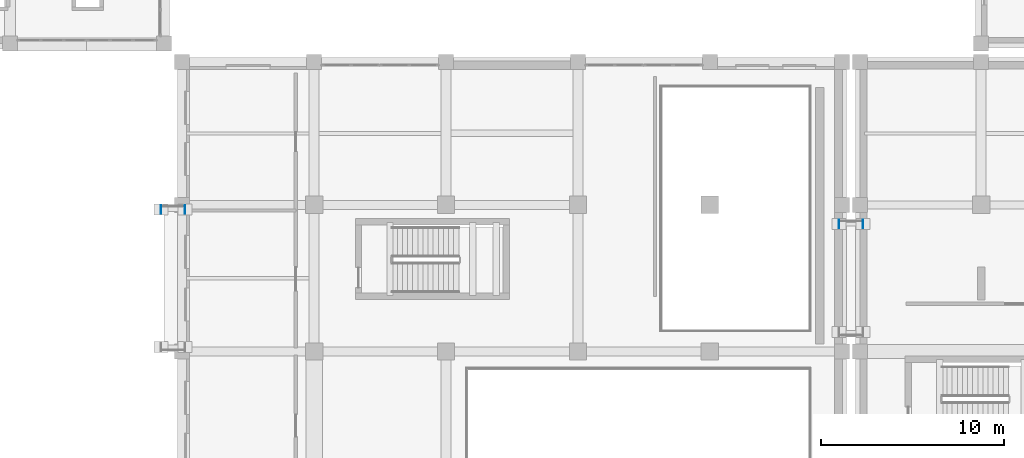
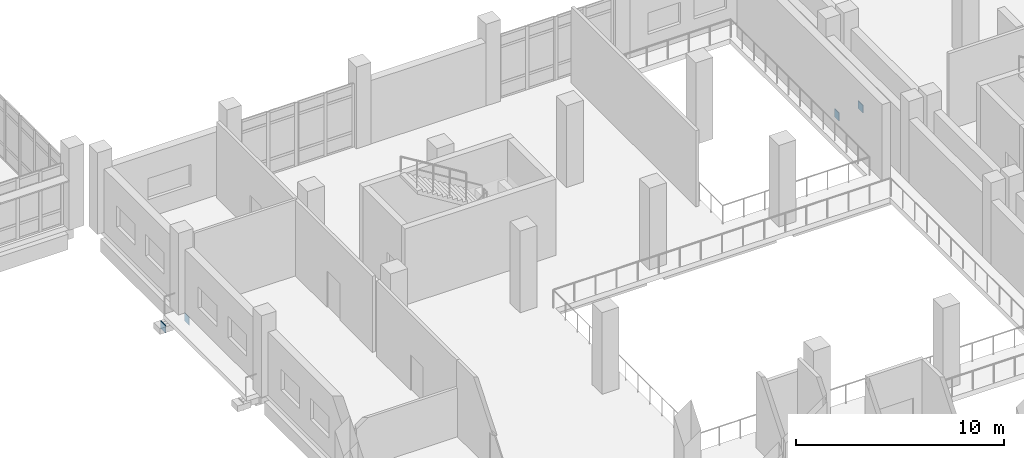
# One storey, part 77 of 90: 4 discrete accessories.
"""IFC4 building model written with IfcOpenShell, lengths in metres."""

from ifc_helpers import new_model, si_unit, direction, frame, origin, origin_2d, place, context, subcontext, project, spatial, rectangle, extrude, material, material_profile, profile_set, type_object, element, save


model = new_model("IFC4")

# Units and contexts
model_context = context("Model", 3, precision=1e-05, world=origin(), true_north=direction((0.0, 1.0)))
body_context = subcontext(model_context, "Body", "Model", "MODEL_VIEW")
ifc_project = project(units=[si_unit("LENGTHUNIT", "METRE"), si_unit("AREAUNIT", "SQUARE_METRE"), si_unit("VOLUMEUNIT", "CUBIC_METRE"), si_unit("PLANEANGLEUNIT", "RADIAN"), si_unit("MASSUNIT", "GRAM", prefix="KILO")], contexts=[model_context])

# Site, building, storey
site_placement = place(None, origin())
site = spatial("IfcSite", under=ifc_project, at=site_placement, CompositionType="ELEMENT")
building_placement = place(site_placement, origin())
building = spatial("IfcBuilding", under=site, at=building_placement, Name="Kelarvand Opera House", CompositionType="ELEMENT")
storey_placement = place(building_placement, frame((0.0, 0.0, 5.39990234375)))
storey = spatial("IfcBuildingStorey", under=building, at=storey_placement, Name="L01", CompositionType="ELEMENT", Elevation=5.39990234375)

# Discrete accessories
ifc_material = material(Name="Steel S355", Category="steel")
ifc_material_profile = material_profile(ifc_material, rectangle(XDim=0.4599609375, YDim=0.4599609375, at=origin_2d()), Name="Welded Steel Hollow End-Cap Plate 460x460x24", Category="steel")
ifc_profile_set = profile_set([ifc_material_profile], Name="Steel S355")
discrete_accessory_type = type_object("IfcDiscreteAccessoryType", Name="Welded Steel Hollow End-Cap Plate 460x460x24", PredefinedType="SHOE", material=ifc_profile_set)
for number, where, z_axis, x_axis, name in (
    (1, (50.85791015625, 78.14990234375, -0.52001953125), (-1.0, 0.0, 0.0), (0.0, -1.0, 0.0), "Hollow Section Welded End Cap 15"),
    (2, (52.14208984375, 78.14990234375, -0.52001953125), (1.0, 0.0, 0.0), (0.0, 1.0, 0.0), "Hollow Section Welded End Cap 16"),
    (3, (87.85791015625, 77.35009765625, -0.52001953125), (-1.0, 0.0, 0.0), (0.0, -1.0, 0.0), "Hollow Section Welded End Cap 39"),
    (4, (89.14208984375, 77.35009765625, -0.52001953125), (1.0, 0.0, 0.0), (0.0, 1.0, 0.0), "Hollow Section Welded End Cap 40"),
):
    element("IfcDiscreteAccessory", number, at=place(storey_placement, frame(where, z_axis=z_axis, x_axis=x_axis)), inside=storey, type_object=discrete_accessory_type, Name=name, PredefinedType="SHOE", context=body_context, shape_type="SweptSolid", body=[
        extrude(rectangle(XDim=0.4599609375, YDim=0.4599609375, at=origin_2d()), origin(), (0.0, 0.0, 1.0), 0.035888671875),
    ])

save(model, "model.ifc")
